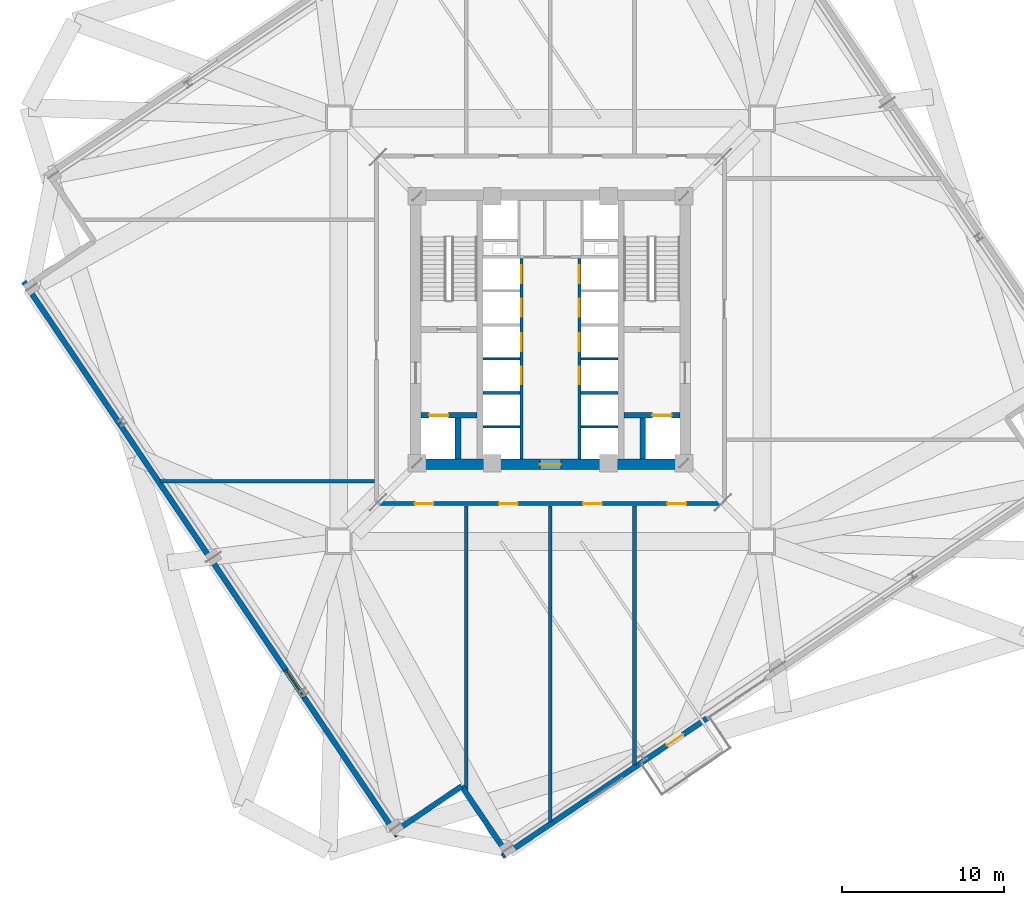
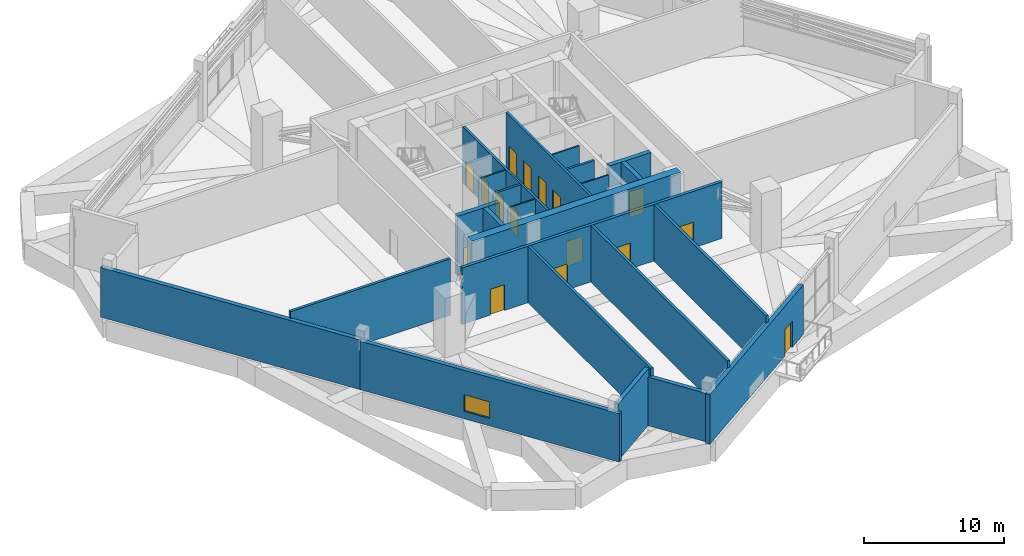
# One storey, part 16 of 21: 23 walls, 16 doors, 1 window, 17 openings.
"""IFC4 building model written with IfcOpenShell, lengths in metres."""

from ifc_helpers import new_model, si_unit, direction, frame, frame_2d, origin, place, context, subcontext, project, spatial, rectangle, extrude, source, transform, mapped, material, layer, layer_set, type_object, element, fill, save


model = new_model("IFC4")

# Units and contexts
model_context = context("Model", 3, precision=1e-05, world=origin(), true_north=direction((0.0, 1.0)))
body_context = subcontext(model_context, "Body", "Model", "MODEL_VIEW")
ifc_project = project(units=[si_unit("LENGTHUNIT", "METRE"), si_unit("AREAUNIT", "SQUARE_METRE"), si_unit("VOLUMEUNIT", "CUBIC_METRE"), si_unit("PLANEANGLEUNIT", "RADIAN"), si_unit("MASSUNIT", "GRAM", prefix="KILO"), si_unit("THERMODYNAMICTEMPERATUREUNIT", "KELVIN")], contexts=[model_context])

# Site, building, storey
site_placement = place(None, origin())
site = spatial("IfcSite", under=ifc_project, at=site_placement, CompositionType="ELEMENT")
building_placement = place(site_placement, origin())
building = spatial("IfcBuilding", under=site, at=building_placement, Name="Kosmvard Interchange Tower", CompositionType="ELEMENT")
storey_placement = place(building_placement, frame((0.0, 0.0, 139.199951171875)))
storey = spatial("IfcBuildingStorey", under=building, at=storey_placement, Name="L33", CompositionType="ELEMENT", Elevation=139.199951171875)

# Wall, openings, doors
ifc_material_1 = material(Name="Fire-rated gypsum partition system")
ifc_layer_1 = layer(ifc_material_1, 0.179931640625, Name="Fire-rated gypsum partition system")
ifc_layer_set_1 = layer_set([ifc_layer_1], Name="Fire-rated gypsum partition system")
wall_type_1 = type_object("IfcWallType", Name="Corridor & Hotel Compartment Partition 180", PredefinedType="PARTITIONING", material=ifc_layer_set_1)
wall_1_placement = place(storey_placement, frame((-1.7900390625, -7.97998046875, 0.0), z_axis=(0.0, 0.0, 1.0), x_axis=(0.0, 1.0, 0.0)))
wall_1 = element("IfcWall", 1, at=wall_1_placement, inside=storey, type_object=wall_type_1, Name="L33 West Lift Bank Front Wall", PredefinedType="PARTITIONING", context=body_context, shape_type="SweptSolid", body=[
    extrude(rectangle(XDim=12.3798828125, YDim=0.179931640625, at=frame_2d((6.18994140625, 0.0))), origin(), (0.0, 0.0, 1.0), 4.93994140625),
])
opening_1_placement = place(wall_1_placement, frame((4.60009765625, 0.0, 0.0)))
opening_1 = element("IfcOpeningElement", 2, at=opening_1_placement, cuts=wall_1, Name="Opening LD-PL-M1-L33", PredefinedType="OPENING", context=body_context, shape_type="SweptSolid", body=[
    extrude(rectangle(XDim=1.10009765625, YDim=2.199951171875, at=frame_2d((0.550048828125, 1.10009765625))), frame((0.0, 0.10009765625, 0.0), z_axis=(0.0, -1.0, 0.0), x_axis=(1.0, 0.0, 0.0)), (0.0, 0.0, 1.0), 0.199951171875),
])
opening_2_placement = place(wall_1_placement, frame((6.659912109375, 0.0, 0.0)))
opening_2 = element("IfcOpeningElement", 3, at=opening_2_placement, cuts=wall_1, Name="Opening LD-PL-M2-L33", PredefinedType="OPENING", context=body_context, shape_type="SweptSolid", body=[
    extrude(rectangle(XDim=1.10009765625, YDim=2.199951171875, at=frame_2d((0.550048828125, 1.10009765625))), frame((0.0, 0.10009765625, 0.0), z_axis=(0.0, -1.0, 0.0), x_axis=(1.0, 0.0, 0.0)), (0.0, 0.0, 1.0), 0.199951171875),
])
opening_3_placement = place(wall_1_placement, frame((8.800048828125, 0.0, 0.0)))
opening_3 = element("IfcOpeningElement", 4, at=opening_3_placement, cuts=wall_1, Name="Opening LD-PL-H1-L33", PredefinedType="OPENING", context=body_context, shape_type="SweptSolid", body=[
    extrude(rectangle(XDim=1.10009765625, YDim=2.199951171875, at=frame_2d((0.550048828125, 1.10009765625))), frame((0.0, 0.10009765625, 0.0), z_axis=(0.0, -1.0, 0.0), x_axis=(1.0, 0.0, 0.0)), (0.0, 0.0, 1.0), 0.199951171875),
])
opening_4_placement = place(wall_1_placement, frame((10.860107421875, 0.0, 0.0)))
opening_4 = element("IfcOpeningElement", 5, at=opening_4_placement, cuts=wall_1, Name="Opening LD-PL-H2-L33", PredefinedType="OPENING", context=body_context, shape_type="SweptSolid", body=[
    extrude(rectangle(XDim=1.10009765625, YDim=2.199951171875, at=frame_2d((0.550048828125, 1.10009765625))), frame((0.0, 0.10009765625, 0.0), z_axis=(0.0, -1.0, 0.0), x_axis=(1.0, 0.0, 0.0)), (0.0, 0.0, 1.0), 0.199951171875),
])
ifc_material_2 = material(Name="Brushed stainless steel sliding leaf", Category="steel")
door_type_1 = type_object("IfcDoorType", Name="Passenger Lift Sliding Landing Door 1100x2200 EI60", OperationType="DOUBLE_DOOR_SLIDING", PredefinedType="DOOR", material=ifc_material_2)
shared_shape_1 = source(origin(), body_context, "Body", "SweptSolid", [
    extrude(rectangle(XDim=1.10009765625, YDim=2.199951171875, at=frame_2d((0.550048828125, 1.10009765625))), frame((0.0, 0.02490234375, 0.0), z_axis=(0.0, -1.0, 0.0), x_axis=(1.0, 0.0, 0.0)), (0.0, 0.0, 1.0), 0.050048828125),
])
door_1_placement = place(opening_1_placement, frame((1.10009765625, 0.0, 0.0), z_axis=(0.0, 0.0, 1.0), x_axis=(-1.0, 0.0, 0.0)))
door_1 = element("IfcDoor", 6, at=door_1_placement, inside=storey, type_object=door_type_1, Name="Lift PL-M1 Landing Door L33", OperationType="DOUBLE_DOOR_SLIDING", OverallHeight=2.199951171875, OverallWidth=1.10009765625, PredefinedType="DOOR", context=body_context, shape_type="MappedRepresentation", body=[
    mapped(shared_shape_1, transform((0.0, 0.0, 0.0), scale=1.0)),
])
fill(opening_1, door_1)
door_2_placement = place(opening_2_placement, frame((1.10009765625, 0.0, 0.0), z_axis=(0.0, 0.0, 1.0), x_axis=(-1.0, 0.0, 0.0)))
door_2 = element("IfcDoor", 7, at=door_2_placement, inside=storey, type_object=door_type_1, Name="Lift PL-M2 Landing Door L33", OperationType="DOUBLE_DOOR_SLIDING", OverallHeight=2.199951171875, OverallWidth=1.10009765625, PredefinedType="DOOR", context=body_context, shape_type="MappedRepresentation", body=[
    mapped(shared_shape_1, transform((0.0, 0.0, 0.0), scale=1.0)),
])
fill(opening_2, door_2)
door_3_placement = place(opening_3_placement, frame((1.10009765625, 0.0, 0.0), z_axis=(0.0, 0.0, 1.0), x_axis=(-1.0, 0.0, 0.0)))
door_3 = element("IfcDoor", 8, at=door_3_placement, inside=storey, type_object=door_type_1, Name="Lift PL-H1 Landing Door L33", OperationType="DOUBLE_DOOR_SLIDING", OverallHeight=2.199951171875, OverallWidth=1.10009765625, PredefinedType="DOOR", context=body_context, shape_type="MappedRepresentation", body=[
    mapped(shared_shape_1, transform((0.0, 0.0, 0.0), scale=1.0)),
])
fill(opening_3, door_3)
door_4_placement = place(opening_4_placement, frame((1.10009765625, 0.0, 0.0), z_axis=(0.0, 0.0, 1.0), x_axis=(-1.0, 0.0, 0.0)))
door_4 = element("IfcDoor", 9, at=door_4_placement, inside=storey, type_object=door_type_1, Name="Lift PL-H2 Landing Door L33", OperationType="DOUBLE_DOOR_SLIDING", OverallHeight=2.199951171875, OverallWidth=1.10009765625, PredefinedType="DOOR", context=body_context, shape_type="MappedRepresentation", body=[
    mapped(shared_shape_1, transform((0.0, 0.0, 0.0), scale=1.0)),
])
fill(opening_4, door_4)

wall_2_placement = place(storey_placement, frame((1.7900390625, -7.97998046875, 0.0), z_axis=(0.0, 0.0, 1.0), x_axis=(0.0, 1.0, 0.0)))
wall_2 = element("IfcWall", 10, at=wall_2_placement, inside=storey, type_object=wall_type_1, Name="L33 East Lift Bank Front Wall", PredefinedType="PARTITIONING", context=body_context, shape_type="SweptSolid", body=[
    extrude(rectangle(XDim=12.3798828125, YDim=0.179931640625, at=frame_2d((6.18994140625, 0.0))), origin(), (0.0, 0.0, 1.0), 4.93994140625),
])
opening_5_placement = place(wall_2_placement, frame((4.60009765625, 0.0, 0.0)))
opening_5 = element("IfcOpeningElement", 11, at=opening_5_placement, cuts=wall_2, Name="Opening LD-PL-M3-L33", PredefinedType="OPENING", context=body_context, shape_type="SweptSolid", body=[
    extrude(rectangle(XDim=1.10009765625, YDim=2.199951171875, at=frame_2d((0.550048828125, 1.10009765625))), frame((0.0, 0.10009765625, 0.0), z_axis=(0.0, -1.0, 0.0), x_axis=(1.0, 0.0, 0.0)), (0.0, 0.0, 1.0), 0.199951171875),
])
opening_6_placement = place(wall_2_placement, frame((6.659912109375, 0.0, 0.0)))
opening_6 = element("IfcOpeningElement", 12, at=opening_6_placement, cuts=wall_2, Name="Opening LD-PL-M4-L33", PredefinedType="OPENING", context=body_context, shape_type="SweptSolid", body=[
    extrude(rectangle(XDim=1.10009765625, YDim=2.199951171875, at=frame_2d((0.550048828125, 1.10009765625))), frame((0.0, 0.10009765625, 0.0), z_axis=(0.0, -1.0, 0.0), x_axis=(1.0, 0.0, 0.0)), (0.0, 0.0, 1.0), 0.199951171875),
])
opening_7_placement = place(wall_2_placement, frame((8.800048828125, 0.0, 0.0)))
opening_7 = element("IfcOpeningElement", 13, at=opening_7_placement, cuts=wall_2, Name="Opening LD-PL-H3-L33", PredefinedType="OPENING", context=body_context, shape_type="SweptSolid", body=[
    extrude(rectangle(XDim=1.10009765625, YDim=2.199951171875, at=frame_2d((0.550048828125, 1.10009765625))), frame((0.0, 0.10009765625, 0.0), z_axis=(0.0, -1.0, 0.0), x_axis=(1.0, 0.0, 0.0)), (0.0, 0.0, 1.0), 0.199951171875),
])
opening_8_placement = place(wall_2_placement, frame((10.860107421875, 0.0, 0.0)))
opening_8 = element("IfcOpeningElement", 14, at=opening_8_placement, cuts=wall_2, Name="Opening LD-PL-H4-L33", PredefinedType="OPENING", context=body_context, shape_type="SweptSolid", body=[
    extrude(rectangle(XDim=1.10009765625, YDim=2.199951171875, at=frame_2d((0.550048828125, 1.10009765625))), frame((0.0, 0.10009765625, 0.0), z_axis=(0.0, -1.0, 0.0), x_axis=(1.0, 0.0, 0.0)), (0.0, 0.0, 1.0), 0.199951171875),
])
door_5_placement = place(opening_5_placement, origin())
door_5 = element("IfcDoor", 15, at=door_5_placement, inside=storey, type_object=door_type_1, Name="Lift PL-M3 Landing Door L33", OperationType="DOUBLE_DOOR_SLIDING", OverallHeight=2.199951171875, OverallWidth=1.10009765625, PredefinedType="DOOR", context=body_context, shape_type="MappedRepresentation", body=[
    mapped(shared_shape_1, transform((0.0, 0.0, 0.0), scale=1.0)),
])
fill(opening_5, door_5)
door_6_placement = place(opening_6_placement, origin())
door_6 = element("IfcDoor", 16, at=door_6_placement, inside=storey, type_object=door_type_1, Name="Lift PL-M4 Landing Door L33", OperationType="DOUBLE_DOOR_SLIDING", OverallHeight=2.199951171875, OverallWidth=1.10009765625, PredefinedType="DOOR", context=body_context, shape_type="MappedRepresentation", body=[
    mapped(shared_shape_1, transform((0.0, 0.0, 0.0), scale=1.0)),
])
fill(opening_6, door_6)
door_7_placement = place(opening_7_placement, origin())
door_7 = element("IfcDoor", 17, at=door_7_placement, inside=storey, type_object=door_type_1, Name="Lift PL-H3 Landing Door L33", OperationType="DOUBLE_DOOR_SLIDING", OverallHeight=2.199951171875, OverallWidth=1.10009765625, PredefinedType="DOOR", context=body_context, shape_type="MappedRepresentation", body=[
    mapped(shared_shape_1, transform((0.0, 0.0, 0.0), scale=1.0)),
])
fill(opening_7, door_7)
door_8_placement = place(opening_8_placement, origin())
door_8 = element("IfcDoor", 18, at=door_8_placement, inside=storey, type_object=door_type_1, Name="Lift PL-H4 Landing Door L33", OperationType="DOUBLE_DOOR_SLIDING", OverallHeight=2.199951171875, OverallWidth=1.10009765625, PredefinedType="DOOR", context=body_context, shape_type="MappedRepresentation", body=[
    mapped(shared_shape_1, transform((0.0, 0.0, 0.0), scale=1.0)),
])
fill(opening_8, door_8)

ifc_material_3 = material(Name="Concrete blockwork masonry", Category="masonry")
ifc_layer_2 = layer(ifc_material_3, 0.25, Name="Concrete blockwork masonry")
ifc_layer_set_2 = layer_set([ifc_layer_2], Name="Concrete blockwork masonry")
wall_type_2 = type_object("IfcWallType", Name="Exit Passage & Firefighting Lobby Wall 250", PredefinedType="PARTITIONING", material=ifc_layer_set_2)
wall_3_placement = place(storey_placement, frame((-10.75, -10.75, 0.0), z_axis=(0.0, 0.0, 1.0), x_axis=(1.0, 0.0, 0.0)))
wall_3 = element("IfcWall", 19, at=wall_3_placement, inside=storey, type_object=wall_type_2, Name="L33 Corridor Wall CS", PredefinedType="PARTITIONING", context=body_context, shape_type="SweptSolid", body=[
    extrude(rectangle(XDim=21.5, YDim=0.25, at=frame_2d((10.75, 0.0))), origin(), (0.0, 0.0, 1.0), 4.93994140625),
])
opening_9_placement = place(wall_3_placement, frame((17.985595703125, 0.0, 0.0)))
opening_9 = element("IfcOpeningElement", 20, at=opening_9_placement, cuts=wall_3, Name="Opening L33-D06", PredefinedType="OPENING", context=body_context, shape_type="SweptSolid", body=[
    extrude(rectangle(XDim=1.14990234375, YDim=2.25, at=frame_2d((0.574951171875, 1.125))), frame((0.0, 0.135009765625, 0.0), z_axis=(0.0, -1.0, 0.0), x_axis=(1.0, 0.0, 0.0)), (0.0, 0.0, 1.0), 0.27001953125),
])
opening_10_placement = place(wall_3_placement, frame((12.77490234375, 0.0, 0.0)))
opening_10 = element("IfcOpeningElement", 21, at=opening_10_placement, cuts=wall_3, Name="Opening L33-D07", PredefinedType="OPENING", context=body_context, shape_type="SweptSolid", body=[
    extrude(rectangle(XDim=1.14990234375, YDim=2.25, at=frame_2d((0.574951171875, 1.125))), frame((0.0, 0.135009765625, 0.0), z_axis=(0.0, -1.0, 0.0), x_axis=(1.0, 0.0, 0.0)), (0.0, 0.0, 1.0), 0.27001953125),
])
opening_11_placement = place(wall_3_placement, frame((7.574951171875, 0.0, 0.0)))
opening_11 = element("IfcOpeningElement", 22, at=opening_11_placement, cuts=wall_3, Name="Opening L33-D08", PredefinedType="OPENING", context=body_context, shape_type="SweptSolid", body=[
    extrude(rectangle(XDim=1.14990234375, YDim=2.25, at=frame_2d((0.574951171875, 1.125))), frame((0.0, 0.135009765625, 0.0), z_axis=(0.0, -1.0, 0.0), x_axis=(1.0, 0.0, 0.0)), (0.0, 0.0, 1.0), 0.27001953125),
])
opening_12_placement = place(wall_3_placement, frame((2.364501953125, 0.0, 0.0)))
opening_12 = element("IfcOpeningElement", 23, at=opening_12_placement, cuts=wall_3, Name="Opening L33-D09", PredefinedType="OPENING", context=body_context, shape_type="SweptSolid", body=[
    extrude(rectangle(XDim=1.14990234375, YDim=2.25, at=frame_2d((0.574951171875, 1.125))), frame((0.0, 0.135009765625, 0.0), z_axis=(0.0, -1.0, 0.0), x_axis=(1.0, 0.0, 0.0)), (0.0, 0.0, 1.0), 0.27001953125),
])
ifc_material_4 = material(Name="Painted fire-rated steel leaf", Category="steel")
door_type_2 = type_object("IfcDoorType", Name="Plant & Riser Fire Door 1150x2250 EI60", OperationType="NOTDEFINED", PredefinedType="DOOR", material=ifc_material_4)
shared_shape_2 = source(origin(), body_context, "Body", "SweptSolid", [
    extrude(rectangle(XDim=1.14990234375, YDim=2.25, at=frame_2d((0.574951171875, 1.125))), frame((0.0, 0.02490234375, 0.0), z_axis=(0.0, -1.0, 0.0), x_axis=(1.0, 0.0, 0.0)), (0.0, 0.0, 1.0), 0.050048828125),
])
door_9_placement = place(opening_9_placement, frame((1.14990234375, 0.0, 0.0), z_axis=(0.0, 0.0, 1.0), x_axis=(-1.0, 0.0, 0.0)))
door_9 = element("IfcDoor", 24, at=door_9_placement, inside=storey, type_object=door_type_2, Name="L33 Electrical Switchgear Plant Room Door", OperationType="SINGLE_SWING_RIGHT", OverallHeight=2.25, OverallWidth=1.14990234375, PredefinedType="DOOR", context=body_context, shape_type="MappedRepresentation", body=[
    mapped(shared_shape_2, transform((0.0, 0.0, 0.0), scale=1.0)),
])
fill(opening_9, door_9)
door_10_placement = place(opening_10_placement, frame((1.14990234375, 0.0, 0.0), z_axis=(0.0, 0.0, 1.0), x_axis=(-1.0, 0.0, 0.0)))
door_10 = element("IfcDoor", 25, at=door_10_placement, inside=storey, type_object=door_type_2, Name="L33 Zone Power Transformer Plant Room Door", OperationType="SINGLE_SWING_LEFT", OverallHeight=2.25, OverallWidth=1.14990234375, PredefinedType="DOOR", context=body_context, shape_type="MappedRepresentation", body=[
    mapped(shared_shape_2, transform((0.0, 0.0, 0.0), scale=1.0)),
])
fill(opening_10, door_10)
door_11_placement = place(opening_11_placement, frame((1.14990234375, 0.0, 0.0), z_axis=(0.0, 0.0, 1.0), x_axis=(-1.0, 0.0, 0.0)))
door_11 = element("IfcDoor", 26, at=door_11_placement, inside=storey, type_object=door_type_2, Name="L33 Smoke Pressurisation Fan Plant Room Door", OperationType="SINGLE_SWING_RIGHT", OverallHeight=2.25, OverallWidth=1.14990234375, PredefinedType="DOOR", context=body_context, shape_type="MappedRepresentation", body=[
    mapped(shared_shape_2, transform((0.0, 0.0, 0.0), scale=1.0)),
])
fill(opening_11, door_11)
door_12_placement = place(opening_12_placement, frame((1.14990234375, 0.0, 0.0), z_axis=(0.0, 0.0, 1.0), x_axis=(-1.0, 0.0, 0.0)))
door_12 = element("IfcDoor", 27, at=door_12_placement, inside=storey, type_object=door_type_2, Name="L33 Air Handling Fan Plant Room Door", OperationType="SINGLE_SWING_LEFT", OverallHeight=2.25, OverallWidth=1.14990234375, PredefinedType="DOOR", context=body_context, shape_type="MappedRepresentation", body=[
    mapped(shared_shape_2, transform((0.0, 0.0, 0.0), scale=1.0)),
])
fill(opening_12, door_12)

# Wall, opening, door
ifc_material_5 = material(Name="Concrete C70/85", Category="concrete")
ifc_layer_3 = layer(ifc_material_5, 0.64990234375, Name="Concrete C70/85")
ifc_layer_set_3 = layer_set([ifc_layer_3], Name="Concrete C70/85")
wall_type_3 = type_object("IfcWallType", Name="Mid Core Shear Wall 650 C70/85", PredefinedType="SHEAR", material=ifc_layer_set_3)
wall_4_placement = place(storey_placement, frame((-8.64990234375, -8.324951171875, 0.0), z_axis=(0.0, 0.0, 1.0), x_axis=(1.0, 0.0, 0.0)))
wall_4 = element("IfcWall", 28, at=wall_4_placement, inside=storey, type_object=wall_type_3, Name="L33 Core Shear Wall CW-S", PredefinedType="SHEAR", context=body_context, shape_type="SweptSolid", body=[
    extrude(rectangle(XDim=17.2998046875, YDim=0.64990234375, at=frame_2d((8.64990234375, 0.0))), origin(), (0.0, 0.0, 1.0), 5.199951171875),
])
opening_13_placement = place(wall_4_placement, frame((8.0, 0.0, 0.0)))
opening_13 = element("IfcOpeningElement", 29, at=opening_13_placement, cuts=wall_4, Name="Opening L33-LD0", PredefinedType="OPENING", context=body_context, shape_type="SweptSolid", body=[
    extrude(rectangle(XDim=1.300048828125, YDim=2.199951171875, at=frame_2d((0.64990234375, 1.10009765625))), frame((0.0, 0.3349609375, 0.0), z_axis=(0.0, -1.0, 0.0), x_axis=(1.0, 0.0, 0.0)), (0.0, 0.0, 1.0), 0.669921875),
])
door_type_3 = type_object("IfcDoorType", Name="Firefighting Lobby Door 1300x2200 EI60", OperationType="NOTDEFINED", PredefinedType="DOOR", material=ifc_material_4)
shared_shape_3 = source(origin(), body_context, "Body", "SweptSolid", [
    extrude(rectangle(XDim=1.300048828125, YDim=2.199951171875, at=frame_2d((0.64990234375, 1.10009765625))), frame((0.0, 0.02490234375, 0.0), z_axis=(0.0, -1.0, 0.0), x_axis=(1.0, 0.0, 0.0)), (0.0, 0.0, 1.0), 0.050048828125),
])
door_13_placement = place(opening_13_placement, frame((1.300048828125, 0.0, 0.0), z_axis=(0.0, 0.0, 1.0), x_axis=(-1.0, 0.0, 0.0)))
door_13 = element("IfcDoor", 30, at=door_13_placement, inside=storey, type_object=door_type_3, Name="L33 Passenger Lift Lobby South Door", OperationType="SINGLE_SWING_LEFT", OverallHeight=2.199951171875, OverallWidth=1.300048828125, PredefinedType="DOOR", context=body_context, shape_type="MappedRepresentation", body=[
    mapped(shared_shape_3, transform((0.0, 0.0, 0.0), scale=1.0)),
])
fill(opening_13, door_13)

# Walls
ifc_material_6 = material(Name="Precast concrete C45/55", Category="concrete")
ifc_layer_4 = layer(ifc_material_6, 0.340087890625, Name="Precast concrete C45/55")
ifc_layer_set_4 = layer_set([ifc_layer_4], Name="Precast concrete C45/55")
wall_type_4 = type_object("IfcWallType", Name="Mid Tower Precast Pier Wall 340 C45/55", PredefinedType="STANDARD", material=ifc_layer_set_4)
wall_5_placement = place(storey_placement, frame((-9.631103515625, -31.018798828125, 0.0), z_axis=(0.0, 0.0, 1.0), x_axis=(0.829025804298, 0.559210350234, 0.0)))
element("IfcWall", 31, at=wall_5_placement, inside=storey, type_object=wall_type_4, Name="L33 Corner Precast Pier N-SW1", PredefinedType="STANDARD", context=body_context, shape_type="SweptSolid", body=[
    extrude(rectangle(XDim=5.000244140625, YDim=0.340087890625, at=frame_2d((2.5, 0.0))), origin(), (0.0, 0.0, 1.0), 4.93994140625),
])
wall_6_placement = place(storey_placement, frame((-5.48583984375, -28.22265625, 0.0), z_axis=(0.0, 0.0, 1.0), x_axis=(0.559171107879, -0.82905227345, 0.0)))
element("IfcWall", 32, at=wall_6_placement, inside=storey, type_object=wall_type_4, Name="L33 Corner Precast Pier N-SW2", PredefinedType="STANDARD", context=body_context, shape_type="SweptSolid", body=[
    extrude(rectangle(XDim=5.169921875, YDim=0.340087890625, at=frame_2d((2.5849609375, 0.0))), origin(), (0.0, 0.0, 1.0), 4.239990234375),
])

# Wall, opening, door
wall_7_placement = place(storey_placement, frame((-2.971923828125, -32.55810546875, 0.0), z_axis=(0.0, 0.0, 1.0), x_axis=(0.82903231094, 0.559200704056, 0.0)))
wall_7 = element("IfcWall", 33, at=wall_7_placement, inside=storey, type_object=wall_type_4, Name="L33 Facade Pier Wall SA", PredefinedType="STANDARD", context=body_context, shape_type="SweptSolid", body=[
    extrude(rectangle(XDim=15.27001953125, YDim=0.340087890625, at=frame_2d((7.635009765625, 0.0))), origin(), (0.0, 0.0, 1.0), 4.340087890625),
])
opening_14_placement = place(wall_7_placement, frame((12.27001953125, 0.0, 0.0)))
opening_14 = element("IfcOpeningElement", 34, at=opening_14_placement, cuts=wall_7, Name="Opening L33-TDS", PredefinedType="OPENING", context=body_context, shape_type="SweptSolid", body=[
    extrude(rectangle(XDim=1.199951171875, YDim=2.300048828125, at=frame_2d((0.60009765625, 1.14990234375))), frame((0.0, 0.18017578125, 0.0), z_axis=(0.0, -1.0, 0.0), x_axis=(1.0, 0.0, 0.0)), (0.0, 0.0, 1.0), 0.360107421875),
])
ifc_material_7 = material(Name="Anodised aluminium and safety glass", Category="aluminium")
door_type_4 = type_object("IfcDoorType", Name="Cascade Terrace Glazed Door 1200x2300", OperationType="NOTDEFINED", PredefinedType="DOOR", material=ifc_material_7)
shared_shape_4 = source(origin(), body_context, "Body", "SweptSolid", [
    extrude(rectangle(XDim=1.199951171875, YDim=2.300048828125, at=frame_2d((0.60009765625, 1.14990234375))), frame((0.0, 0.02490234375, 0.0), z_axis=(0.0, -1.0, 0.0), x_axis=(1.0, 0.0, 0.0)), (0.0, 0.0, 1.0), 0.050048828125),
])
door_14_placement = place(opening_14_placement, origin())
door_14 = element("IfcDoor", 35, at=door_14_placement, inside=storey, type_object=door_type_4, Name="L33 Terrace Access Door SKG-L33-S", OperationType="SINGLE_SWING_LEFT", OverallHeight=2.300048828125, OverallWidth=1.199951171875, PredefinedType="DOOR", context=body_context, shape_type="MappedRepresentation", body=[
    mapped(shared_shape_4, transform((0.0, 0.0, 0.0), scale=1.0)),
])
fill(opening_14, door_14)

# Wall
wall_8_placement = place(storey_placement, frame((-32.55810546875, 2.971923828125, 0.0), z_axis=(0.0, 0.0, 1.0), x_axis=(0.559194910251, -0.829036218961, 0.0)))
element("IfcWall", 36, at=wall_8_placement, inside=storey, type_object=wall_type_4, Name="L33 Facade Pier Wall WA", PredefinedType="STANDARD", context=body_context, shape_type="SweptSolid", body=[
    extrude(rectangle(XDim=20.670166015625, YDim=0.340087890625, at=frame_2d((10.3349609375, 0.0))), origin(), (0.0, 0.0, 1.0), 4.340087890625),
])

# Wall, opening, window
wall_9_placement = place(storey_placement, frame((-20.99951171875, -14.164306640625, 0.0), z_axis=(0.0, 0.0, 1.0), x_axis=(0.559194910251, -0.829036218961, 0.0)))
wall_9 = element("IfcWall", 37, at=wall_9_placement, inside=storey, type_object=wall_type_4, Name="L33 Facade Pier Wall WB", PredefinedType="STANDARD", context=body_context, shape_type="SweptSolid", body=[
    extrude(rectangle(XDim=20.670166015625, YDim=0.340087890625, at=frame_2d((10.3349609375, 0.0))), origin(), (0.0, 0.0, 1.0), 4.239990234375),
])
opening_15_placement = place(wall_9_placement, frame((8.301513671875, 0.0, 0.64990234375)))
opening_15 = element("IfcOpeningElement", 38, at=opening_15_placement, cuts=wall_9, Name="Opening L33-WWB", PredefinedType="OPENING", context=body_context, shape_type="SweptSolid", body=[
    extrude(rectangle(XDim=2.0, YDim=1.449951171875, at=frame_2d((1.0, 0.72509765625))), frame((0.0, 0.18017578125, 0.0), z_axis=(0.0, -1.0, 0.0), x_axis=(1.0, 0.0, 0.0)), (0.0, 0.0, 1.0), 0.360107421875),
])
ifc_material_8 = material(Name="Low-E solar-control double glazing", Category="glass")
window_type = type_object("IfcWindowType", Name="Transfer Zone Punched Window 2000x1450", PartitioningType="SINGLE_PANEL", PredefinedType="WINDOW", material=ifc_material_8)
shared_shape_5 = source(origin(), body_context, "Body", "SweptSolid", [
    extrude(rectangle(XDim=2.0, YDim=1.449951171875, at=frame_2d((1.0, 0.72509765625))), frame((0.0, 0.030029296875, 0.0), z_axis=(0.0, -1.0, 0.0), x_axis=(1.0, 0.0, 0.0)), (0.0, 0.0, 1.0), 0.06005859375),
])
window_placement = place(opening_15_placement, origin())
window = element("IfcWindow", 39, at=window_placement, inside=storey, type_object=window_type, Name="L33 Facade Punched Window WB", OverallHeight=1.449951171875, OverallWidth=2.0, PartitioningType="SINGLE_PANEL", PredefinedType="WINDOW", context=body_context, shape_type="MappedRepresentation", body=[
    mapped(shared_shape_5, transform((0.0, 0.0, 0.0), scale=1.0)),
])
fill(opening_15, window)

# Walls
ifc_layer_5 = layer(ifc_material_3, 0.179931640625, Name="Concrete blockwork masonry")
ifc_layer_set_5 = layer_set([ifc_layer_5], Name="Concrete blockwork masonry")
wall_type_5 = type_object("IfcWallType", Name="Riser & Lift Bank Divider Wall 180", PredefinedType="PARTITIONING", material=ifc_layer_set_5)
for number, where, z_axis, x_axis, name in (
    (40, (-4.169921875, -3.89990234375, 0.0), (0.0, 0.0, 1.0), (1.0, 0.0, 0.0), "L33 West Bank Divider BD1"),
    (41, (1.889892578125, -3.89990234375, 0.0), (0.0, 0.0, 1.0), (1.0, 0.0, 0.0), "L33 East Bank Divider BD1"),
):
    element("IfcWall", number, at=place(storey_placement, frame(where, z_axis=z_axis, x_axis=x_axis)), inside=storey, type_object=wall_type_5, Name=name, PredefinedType="PARTITIONING", context=body_context, shape_type="SweptSolid", body=[
        extrude(rectangle(XDim=2.280029296875, YDim=0.179931640625, at=frame_2d((1.14013671875, 0.0))), origin(), (0.0, 0.0, 1.0), 4.93994140625),
    ])
ifc_layer_6 = layer(ifc_material_3, 0.219970703125, Name="Concrete blockwork masonry")
ifc_layer_set_6 = layer_set([ifc_layer_6], Name="Concrete blockwork masonry")
wall_type_6 = type_object("IfcWallType", Name="Riser & Plant Enclosure Wall 220", PredefinedType="PARTITIONING", material=ifc_layer_set_6)
wall_10_placement = place(storey_placement, frame((-5.199951171875, -10.8798828125, 0.0), z_axis=(0.0, 0.0, 1.0), x_axis=(0.0, -1.0, 0.0)))
element("IfcWall", 42, at=wall_10_placement, inside=storey, type_object=wall_type_6, Name="L33 Room Partition 06.1", PredefinedType="PARTITIONING", context=body_context, shape_type="SweptSolid", body=[
    extrude(rectangle(XDim=17.5791015625, YDim=0.219970703125, at=frame_2d((8.78955078125, 0.0))), origin(), (0.0, 0.0, 1.0), 4.93994140625),
])
wall_11_placement = place(storey_placement, frame((0.0, -10.8798828125, 0.0), z_axis=(0.0, 0.0, 1.0), x_axis=(0.0, -1.0, 0.0)))
element("IfcWall", 43, at=wall_11_placement, inside=storey, type_object=wall_type_6, Name="L33 Room Partition 07.1", PredefinedType="PARTITIONING", context=body_context, shape_type="SweptSolid", body=[
    extrude(rectangle(XDim=19.546875, YDim=0.219970703125, at=frame_2d((9.7734375, 0.0))), origin(), (0.0, 0.0, 1.0), 4.93994140625),
])
wall_12_placement = place(storey_placement, frame((5.199951171875, -10.8798828125, 0.0), z_axis=(0.0, 0.0, 1.0), x_axis=(0.0, -1.0, 0.0)))
element("IfcWall", 44, at=wall_12_placement, inside=storey, type_object=wall_type_6, Name="L33 Room Partition 08.1", PredefinedType="PARTITIONING", context=body_context, shape_type="SweptSolid", body=[
    extrude(rectangle(XDim=16.03955078125, YDim=0.219970703125, at=frame_2d((8.019775390625, 0.0))), origin(), (0.0, 0.0, 1.0), 4.93994140625),
])
wall_13_placement = place(storey_placement, frame((-10.8798828125, -9.35009765625, 0.0), z_axis=(0.0, 0.0, 1.0), x_axis=(-1.0, 0.0, 0.0)))
element("IfcWall", 45, at=wall_13_placement, inside=storey, type_object=wall_type_6, Name="L33 Room Partition 09.1", PredefinedType="PARTITIONING", context=body_context, shape_type="SweptSolid", body=[
    extrude(rectangle(XDim=13.240234375, YDim=0.219970703125, at=frame_2d((6.6201171875, 0.0))), origin(), (0.0, 0.0, 1.0), 4.93994140625),
])
ifc_material_9 = material(Name="Fire-rated gypsum shaftwall system")
ifc_layer_7 = layer(ifc_material_9, 0.1201171875, Name="Fire-rated gypsum shaftwall system")
ifc_layer_set_7 = layer_set([ifc_layer_7], Name="Fire-rated gypsum shaftwall system")
wall_type_7 = type_object("IfcWallType", Name="Shaft & Riser Fire Partition 120 EI60", PredefinedType="PARTITIONING", material=ifc_layer_set_7)
for number, where, z_axis, x_axis, name in (
    (46, (-4.159912109375, -6.0, 0.0), (0.0, 0.0, 1.0), (1.0, 0.0, 0.0), "L33 Shaft Divider PL-L1"),
    (47, (1.89990234375, -6.0, 0.0), (0.0, 0.0, 1.0), (1.0, 0.0, 0.0), "L33 Shaft Divider PL-L3"),
    (48, (-4.159912109375, -1.800048828125, 0.0), (0.0, 0.0, 1.0), (1.0, 0.0, 0.0), "L33 Shaft Divider PL-M1"),
    (49, (1.89990234375, -1.800048828125, 0.0), (0.0, 0.0, 1.0), (1.0, 0.0, 0.0), "L33 Shaft Divider PL-M3"),
):
    element("IfcWall", number, at=place(storey_placement, frame(where, z_axis=z_axis, x_axis=x_axis)), inside=storey, type_object=wall_type_7, Name=name, PredefinedType="PARTITIONING", context=body_context, shape_type="SweptSolid", body=[
        extrude(rectangle(XDim=2.260009765625, YDim=0.1201171875, at=frame_2d((1.1298828125, 0.0))), origin(), (0.0, 0.0, 1.0), 4.93994140625),
    ])

# Wall, opening, door
ifc_material_10 = material(Name="Concrete C60/75", Category="concrete")
ifc_layer_8 = layer(ifc_material_10, 0.360107421875, Name="Concrete C60/75")
ifc_layer_set_8 = layer_set([ifc_layer_8], Name="Concrete C60/75")
wall_type_8 = type_object("IfcWallType", Name="Stair & Lift Shaft Shear Wall 360 C60/75", PredefinedType="SHEAR", material=ifc_layer_set_8)
wall_14_placement = place(storey_placement, frame((-8.0, -5.280029296875, 0.0), z_axis=(0.0, 0.0, 1.0), x_axis=(1.0, 0.0, 0.0)))
wall_14 = element("IfcWall", 50, at=wall_14_placement, inside=storey, type_object=wall_type_8, Name="L33 Shaft Shear Wall SW-FF1", PredefinedType="SHEAR", context=body_context, shape_type="SweptSolid", body=[
    extrude(rectangle(XDim=3.4599609375, YDim=0.360107421875, at=frame_2d((1.72998046875, 0.0))), origin(), (0.0, 0.0, 1.0), 5.199951171875),
])
opening_16_placement = place(wall_14_placement, frame((0.5, 0.0, 0.0)))
opening_16 = element("IfcOpeningElement", 51, at=opening_16_placement, cuts=wall_14, Name="Opening LD-FF-1-L33", PredefinedType="OPENING", context=body_context, shape_type="SweptSolid", body=[
    extrude(rectangle(XDim=1.199951171875, YDim=2.25, at=frame_2d((0.60009765625, 1.125))), frame((0.0, 0.18994140625, 0.0), z_axis=(0.0, -1.0, 0.0), x_axis=(1.0, 0.0, 0.0)), (0.0, 0.0, 1.0), 0.380126953125),
])
door_type_5 = type_object("IfcDoorType", Name="Firefighting Lift Sliding Landing Door 1200x2250 EI120", OperationType="DOUBLE_DOOR_SLIDING", PredefinedType="DOOR", material=ifc_material_2)
shared_shape_6 = source(origin(), body_context, "Body", "SweptSolid", [
    extrude(rectangle(XDim=1.199951171875, YDim=2.25, at=frame_2d((0.60009765625, 1.125))), frame((0.0, 0.02490234375, 0.0), z_axis=(0.0, -1.0, 0.0), x_axis=(1.0, 0.0, 0.0)), (0.0, 0.0, 1.0), 0.050048828125),
])
door_15_placement = place(opening_16_placement, origin())
door_15 = element("IfcDoor", 52, at=door_15_placement, inside=storey, type_object=door_type_5, Name="Lift FF-1 Landing Door L33", OperationType="DOUBLE_DOOR_SLIDING", OverallHeight=2.25, OverallWidth=1.199951171875, PredefinedType="DOOR", context=body_context, shape_type="MappedRepresentation", body=[
    mapped(shared_shape_6, transform((0.0, 0.0, 0.0), scale=1.0)),
])
fill(opening_16, door_15)

wall_15_placement = place(storey_placement, frame((4.5400390625, -5.280029296875, 0.0), z_axis=(0.0, 0.0, 1.0), x_axis=(1.0, 0.0, 0.0)))
wall_15 = element("IfcWall", 53, at=wall_15_placement, inside=storey, type_object=wall_type_8, Name="L33 Shaft Shear Wall SW-FF2", PredefinedType="SHEAR", context=body_context, shape_type="SweptSolid", body=[
    extrude(rectangle(XDim=3.4599609375, YDim=0.360107421875, at=frame_2d((1.72998046875, 0.0))), origin(), (0.0, 0.0, 1.0), 5.199951171875),
])
opening_17_placement = place(wall_15_placement, frame((1.760009765625, 0.0, 0.0)))
opening_17 = element("IfcOpeningElement", 54, at=opening_17_placement, cuts=wall_15, Name="Opening LD-FF-2-L33", PredefinedType="OPENING", context=body_context, shape_type="SweptSolid", body=[
    extrude(rectangle(XDim=1.199951171875, YDim=2.25, at=frame_2d((0.60009765625, 1.125))), frame((0.0, 0.18994140625, 0.0), z_axis=(0.0, -1.0, 0.0), x_axis=(1.0, 0.0, 0.0)), (0.0, 0.0, 1.0), 0.380126953125),
])
door_16_placement = place(opening_17_placement, origin())
door_16 = element("IfcDoor", 55, at=door_16_placement, inside=storey, type_object=door_type_5, Name="Lift FF-2 Landing Door L33", OperationType="DOUBLE_DOOR_SLIDING", OverallHeight=2.25, OverallWidth=1.199951171875, PredefinedType="DOOR", context=body_context, shape_type="MappedRepresentation", body=[
    mapped(shared_shape_6, transform((0.0, 0.0, 0.0), scale=1.0)),
])
fill(opening_17, door_16)

# Walls
for number, where, z_axis, x_axis, name in (
    (56, (-5.7099609375, -8.0, 0.0), (0.0, 0.0, 1.0), (0.0, 1.0, 0.0), "L33 Shaft Shear Wall SW-SM1"),
    (57, (5.7099609375, -8.0, 0.0), (0.0, 0.0, 1.0), (0.0, 1.0, 0.0), "L33 Shaft Shear Wall SW-SM2"),
):
    element("IfcWall", number, at=place(storey_placement, frame(where, z_axis=z_axis, x_axis=x_axis)), inside=storey, type_object=wall_type_8, Name=name, PredefinedType="SHEAR", context=body_context, shape_type="SweptSolid", body=[
        extrude(rectangle(XDim=2.5400390625, YDim=0.360107421875, at=frame_2d((1.27001953125, 0.0))), origin(), (0.0, 0.0, 1.0), 5.199951171875),
    ])

save(model, "model.ifc")
